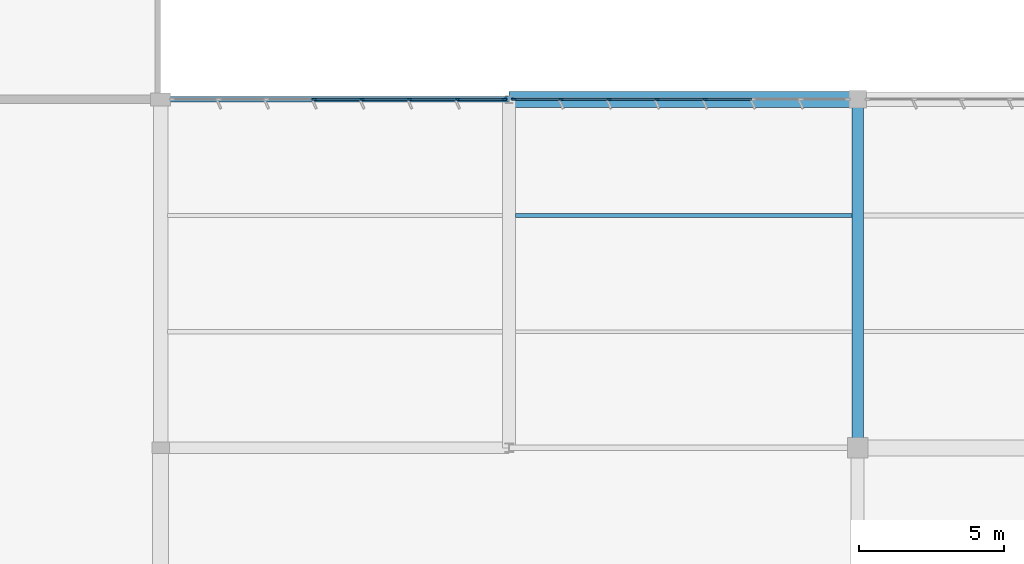
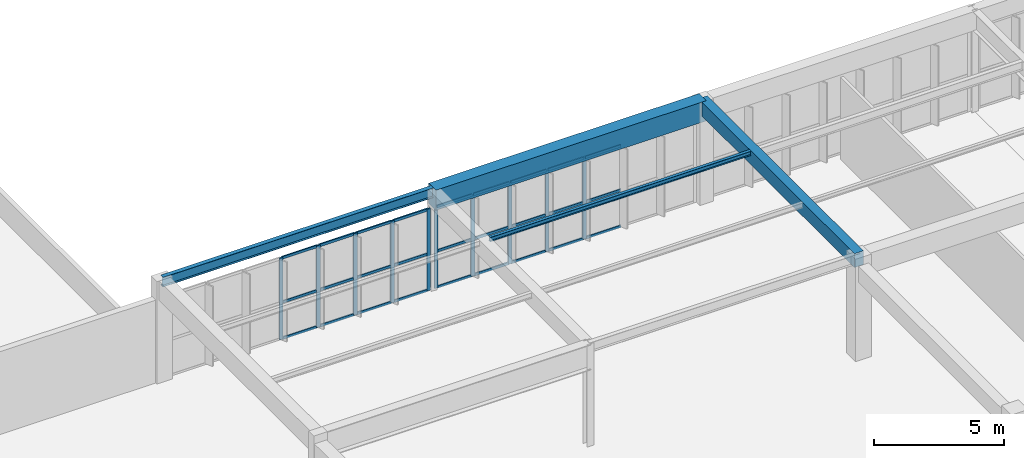
# One storey, part 65 of 186: 37 members, 4 beams, 2 elements without a shape of their own.
"""IFC4 building model written with IfcOpenShell, lengths in metres."""

from ifc_helpers import new_model, si_unit, direction, frame, origin, origin_2d, place, context, subcontext, project, spatial, rectangle, i_section, extrude, material, layer, layer_set, material_profile, profile_set, type_object, element, aggregate, save


model = new_model("IFC4")

# Units and contexts
model_context = context("Model", 3, precision=1e-05, world=origin(), true_north=direction((0.0, 1.0)))
body_context = subcontext(model_context, "Body", "Model", "MODEL_VIEW")
ifc_project = project(units=[si_unit("LENGTHUNIT", "METRE"), si_unit("AREAUNIT", "SQUARE_METRE"), si_unit("VOLUMEUNIT", "CUBIC_METRE"), si_unit("PLANEANGLEUNIT", "RADIAN"), si_unit("MASSUNIT", "GRAM", prefix="KILO")], contexts=[model_context])

# Site, building, storey
site_placement = place(None, origin())
site = spatial("IfcSite", under=ifc_project, at=site_placement, CompositionType="ELEMENT")
building_placement = place(site_placement, origin())
building = spatial("IfcBuilding", under=site, at=building_placement, Name="Tarnwether General Hospital", CompositionType="ELEMENT")
storey_placement = place(building_placement, frame((0.0, 0.0, 9.60009765625)))
storey = spatial("IfcBuildingStorey", under=building, at=storey_placement, Name="L02", CompositionType="ELEMENT", Elevation=9.60009765625)

# Beams
ifc_material_1 = material(Name="Steel Grade 350 (350 MPa)", Category="steel")
ifc_material_profile_1 = material_profile(ifc_material_1, i_section(OverallWidth=0.18994140625, OverallDepth=0.4541015625, WebThickness=0.008544921875, FlangeThickness=0.0126953125, at=origin_2d()), Name="460UB67.1")
ifc_profile_set_1 = profile_set([ifc_material_profile_1], Name="Steel Grade 350 (350 MPa)")
beam_type_1 = type_object("IfcBeamType", Name="BM-G10", PredefinedType="BEAM", material=ifc_profile_set_1)
beam_1_placement = place(storey_placement, frame((60.0, 45.60009765625, 4.572998046875), z_axis=(1.0, 0.0, 0.0), x_axis=(0.0, 1.0, 0.0)))
element("IfcBeam", 1, at=beam_1_placement, inside=storey, type_object=beam_type_1, Name="Primary Girder BMG-L02-6000_4560-7200_4560-1490", PredefinedType="BEAM", context=body_context, shape_type="SweptSolid", body=[
    extrude(i_section(OverallWidth=0.18994140625, OverallDepth=0.4541015625, WebThickness=0.008544921875, FlangeThickness=0.0126953125, at=origin_2d()), origin(), (0.0, 0.0, 1.0), 12.0),
])
ifc_material_2 = material(Name="Concrete 40 MPa", Category="concrete")
ifc_material_profile_2 = material_profile(ifc_material_2, rectangle(XDim=0.550048828125, YDim=0.949951171875, at=origin_2d()), Name="RC-BM-550x950")
ifc_profile_set_2 = profile_set([ifc_material_profile_2], Name="Concrete 40 MPa")
beam_type_2 = type_object("IfcBeamType", Name="BM-G11", PredefinedType="BEAM", material=ifc_profile_set_2)
beam_2_placement = place(storey_placement, frame((72.0, 45.60009765625, 4.324951171875), z_axis=(1.0, 0.0, 0.0), x_axis=(0.0, 1.0, 0.0)))
element("IfcBeam", 2, at=beam_2_placement, inside=storey, type_object=beam_type_2, Name="Primary Girder BMG-L02-7200_4560-8400_4560-1500", PredefinedType="BEAM", context=body_context, shape_type="SweptSolid", body=[
    extrude(rectangle(XDim=0.550048828125, YDim=0.949951171875, at=origin_2d()), origin(), (0.0, 0.0, 1.0), 12.0),
])
ifc_material_3 = material(Name="Concrete 40 MPa", Category="concrete")
ifc_material_profile_3 = material_profile(ifc_material_3, rectangle(XDim=0.39990234375, YDim=0.64990234375, at=origin_2d()), Name="RC-BM-400x650")
ifc_profile_set_3 = profile_set([ifc_material_profile_3], Name="Concrete 40 MPa")
beam_type_3 = type_object("IfcBeamType", Name="BM-G14", PredefinedType="BEAM", material=ifc_profile_set_3)
beam_3_placement = place(storey_placement, frame((84.0, 33.60009765625, 4.474853515625), z_axis=(0.0, 1.0, 0.0), x_axis=(-1.0, 0.0, 0.0)))
element("IfcBeam", 3, at=beam_3_placement, inside=storey, type_object=beam_type_3, Name="Primary Girder BMG-L02-8400_3360-8400_4560-1511", PredefinedType="BEAM", context=body_context, shape_type="SweptSolid", body=[
    extrude(rectangle(XDim=0.39990234375, YDim=0.64990234375, at=origin_2d()), origin(), (0.0, 0.0, 1.0), 12.0),
])
ifc_material_4 = material(Name="Steel Grade 350 (350 MPa)", Category="steel")
ifc_material_profile_4 = material_profile(ifc_material_4, i_section(OverallWidth=0.134033203125, OverallDepth=0.20703125, WebThickness=0.00634765625, FlangeThickness=0.009521484375, at=origin_2d()), Name="200UB29.8")
ifc_profile_set_4 = profile_set([ifc_material_profile_4], Name="Steel Grade 350 (350 MPa)")
beam_type_4 = type_object("IfcBeamType", Name="BM-J12", PredefinedType="JOIST", material=ifc_profile_set_4)
beam_4_placement = place(storey_placement, frame((72.218994140625, 41.60009765625, 4.6962890625), z_axis=(1.0, 0.0, 0.0), x_axis=(0.0, 1.0, 0.0)))
element("IfcBeam", 4, at=beam_4_placement, inside=storey, type_object=beam_type_4, Name="Composite Floor Joist BMG-L02-7222_4160-8381_4160-1683", PredefinedType="JOIST", context=body_context, shape_type="SweptSolid", body=[
    extrude(i_section(OverallWidth=0.134033203125, OverallDepth=0.20703125, WebThickness=0.00634765625, FlangeThickness=0.009521484375, at=origin_2d()), origin(), (0.0, 0.0, 1.0), 11.5869140625),
])

# Curtain wall, members
ifc_material_5 = material(Name="Anodised aluminium", Category="aluminium")
ifc_layer = layer(ifc_material_5, 0.159912109375)
ifc_layer_set = layer_set([ifc_layer], Name="Anodised aluminium")
curtain_wall_type = type_object("IfcCurtainWallType", Name="CW-24", PredefinedType="NOTDEFINED", material=ifc_layer_set)
curtain_wall_1_placement = place(storey_placement, origin())
curtain_wall_1 = element("IfcCurtainWall", 5, at=curtain_wall_1_placement, inside=storey, type_object=curtain_wall_type, Name="Curtain Wall CWG-L02-837_456-0432", PredefinedType="NOTDEFINED")
ifc_material_6 = material(Name="Anodised aluminium", Category="aluminium")
ifc_material_profile_5 = material_profile(ifc_material_6, rectangle(XDim=0.06005859375, YDim=0.159912109375, at=origin_2d()), Name="ALU-MUL-60x160")
ifc_profile_set_5 = profile_set([ifc_material_profile_5], Name="Anodised aluminium")
member_type_1 = type_object("IfcMemberType", Name="CW-ML1", PredefinedType="MULLION", material=ifc_profile_set_5)
member_1_placement = place(storey_placement, frame((78.739501953125, 45.60009765625, 0.0), z_axis=(0.0, 0.0, 1.0), x_axis=(0.0, -1.0, 0.0)))
member_1 = element("IfcMember", 6, at=member_1_placement, type_object=member_type_1, Name="CW-24 mullion 4", PredefinedType="MULLION", context=body_context, shape_type="SweptSolid", body=[
    extrude(rectangle(XDim=0.06005859375, YDim=0.159912109375, at=origin_2d()), origin(), (0.0, 0.0, 1.0), 3.8349609375),
])
member_2_placement = place(storey_placement, frame((77.088623046875, 45.60009765625, 0.0), z_axis=(0.0, 0.0, 1.0), x_axis=(0.0, -1.0, 0.0)))
member_2 = element("IfcMember", 7, at=member_2_placement, type_object=member_type_1, Name="CW-24 mullion 5", PredefinedType="MULLION", context=body_context, shape_type="SweptSolid", body=[
    extrude(rectangle(XDim=0.06005859375, YDim=0.159912109375, at=origin_2d()), origin(), (0.0, 0.0, 1.0), 3.8349609375),
])
member_3_placement = place(storey_placement, frame((75.437744140625, 45.60009765625, 0.0), z_axis=(0.0, 0.0, 1.0), x_axis=(0.0, -1.0, 0.0)))
member_3 = element("IfcMember", 8, at=member_3_placement, type_object=member_type_1, Name="CW-24 mullion 6", PredefinedType="MULLION", context=body_context, shape_type="SweptSolid", body=[
    extrude(rectangle(XDim=0.06005859375, YDim=0.159912109375, at=origin_2d()), origin(), (0.0, 0.0, 1.0), 3.8349609375),
])
member_4_placement = place(storey_placement, frame((73.786865234375, 45.60009765625, 0.0), z_axis=(0.0, 0.0, 1.0), x_axis=(0.0, -1.0, 0.0)))
member_4 = element("IfcMember", 9, at=member_4_placement, type_object=member_type_1, Name="CW-24 mullion 7", PredefinedType="MULLION", context=body_context, shape_type="SweptSolid", body=[
    extrude(rectangle(XDim=0.06005859375, YDim=0.159912109375, at=origin_2d()), origin(), (0.0, 0.0, 1.0), 3.8349609375),
])
member_5_placement = place(storey_placement, frame((72.166015625, 45.60009765625, 0.0), z_axis=(0.0, 0.0, 1.0), x_axis=(0.0, -1.0, 0.0)))
member_5 = element("IfcMember", 10, at=member_5_placement, type_object=member_type_1, Name="CW-24 mullion 8", PredefinedType="MULLION", context=body_context, shape_type="SweptSolid", body=[
    extrude(rectangle(XDim=0.06005859375, YDim=0.159912109375, at=origin_2d()), origin(), (0.0, 0.0, 1.0), 3.8349609375),
])

curtain_wall_2_placement = place(storey_placement, origin())
curtain_wall_2 = element("IfcCurtainWall", 11, at=curtain_wall_2_placement, inside=storey, type_object=curtain_wall_type, Name="Curtain Wall CWG-L02-719_456-0433", PredefinedType="NOTDEFINED")
member_6_placement = place(storey_placement, frame((71.833984375, 45.60009765625, 0.0), z_axis=(0.0, 0.0, 1.0), x_axis=(0.0, -1.0, 0.0)))
member_6 = element("IfcMember", 12, at=member_6_placement, type_object=member_type_1, Name="CW-24 mullion 1", PredefinedType="MULLION", context=body_context, shape_type="SweptSolid", body=[
    extrude(rectangle(XDim=0.06005859375, YDim=0.159912109375, at=origin_2d()), origin(), (0.0, 0.0, 1.0), 3.8349609375),
])
member_7_placement = place(storey_placement, frame((70.22021484375, 45.60009765625, 0.0), z_axis=(0.0, 0.0, 1.0), x_axis=(0.0, -1.0, 0.0)))
member_7 = element("IfcMember", 13, at=member_7_placement, type_object=member_type_1, Name="CW-24 mullion 2", PredefinedType="MULLION", context=body_context, shape_type="SweptSolid", body=[
    extrude(rectangle(XDim=0.06005859375, YDim=0.159912109375, at=origin_2d()), origin(), (0.0, 0.0, 1.0), 3.8349609375),
])
member_8_placement = place(storey_placement, frame((68.57666015625, 45.60009765625, 0.0), z_axis=(0.0, 0.0, 1.0), x_axis=(0.0, -1.0, 0.0)))
member_8 = element("IfcMember", 14, at=member_8_placement, type_object=member_type_1, Name="CW-24 mullion 3", PredefinedType="MULLION", context=body_context, shape_type="SweptSolid", body=[
    extrude(rectangle(XDim=0.06005859375, YDim=0.159912109375, at=origin_2d()), origin(), (0.0, 0.0, 1.0), 3.8349609375),
])
member_9_placement = place(storey_placement, frame((66.932861328125, 45.60009765625, 0.0), z_axis=(0.0, 0.0, 1.0), x_axis=(0.0, -1.0, 0.0)))
member_9 = element("IfcMember", 15, at=member_9_placement, type_object=member_type_1, Name="CW-24 mullion 4", PredefinedType="MULLION", context=body_context, shape_type="SweptSolid", body=[
    extrude(rectangle(XDim=0.06005859375, YDim=0.159912109375, at=origin_2d()), origin(), (0.0, 0.0, 1.0), 3.8349609375),
])
member_10_placement = place(storey_placement, frame((65.2890625, 45.60009765625, 0.0), z_axis=(0.0, 0.0, 1.0), x_axis=(0.0, -1.0, 0.0)))
member_10 = element("IfcMember", 16, at=member_10_placement, type_object=member_type_1, Name="CW-24 mullion 5", PredefinedType="MULLION", context=body_context, shape_type="SweptSolid", body=[
    extrude(rectangle(XDim=0.06005859375, YDim=0.159912109375, at=origin_2d()), origin(), (0.0, 0.0, 1.0), 3.8349609375),
])

# Member
ifc_material_7 = material(Name="Anodised aluminium", Category="aluminium")
ifc_material_profile_6 = material_profile(ifc_material_7, rectangle(XDim=0.06005859375, YDim=0.1201171875, at=origin_2d()), Name="ALU-TRN-60x120")
ifc_profile_set_6 = profile_set([ifc_material_profile_6], Name="Anodised aluminium")
member_type_2 = type_object("IfcMemberType", Name="CW-TR1", PredefinedType="USERDEFINED", material=ifc_profile_set_6)
member_11_placement = place(storey_placement, frame((80.3603515625, 45.60009765625, 0.02978515625), z_axis=(-1.0, 0.0, 0.0), x_axis=(0.0, -1.0, 0.0)))
member_11 = element("IfcMember", 17, at=member_11_placement, type_object=member_type_2, Name="CW-24 transom 3.1", ObjectType="TRANSOM", PredefinedType="USERDEFINED", context=body_context, shape_type="SweptSolid", body=[
    extrude(rectangle(XDim=0.06005859375, YDim=0.1201171875, at=origin_2d()), origin(), (0.0, 0.0, 1.0), 1.5908203125),
])

member_12_placement = place(storey_placement, frame((80.3603515625, 45.60009765625, 1.7255859375), z_axis=(-1.0, 0.0, 0.0), x_axis=(0.0, -1.0, 0.0)))
member_12 = element("IfcMember", 18, at=member_12_placement, type_object=member_type_2, Name="CW-24 transom 3.2", ObjectType="TRANSOM", PredefinedType="USERDEFINED", context=body_context, shape_type="SweptSolid", body=[
    extrude(rectangle(XDim=0.06005859375, YDim=0.1201171875, at=origin_2d()), origin(), (0.0, 0.0, 1.0), 1.5908203125),
])

member_13_placement = place(storey_placement, frame((80.3603515625, 45.60009765625, 3.804931640625), z_axis=(-1.0, 0.0, 0.0), x_axis=(0.0, -1.0, 0.0)))
member_13 = element("IfcMember", 19, at=member_13_placement, type_object=member_type_2, Name="CW-24 transom 3.3", ObjectType="TRANSOM", PredefinedType="USERDEFINED", context=body_context, shape_type="SweptSolid", body=[
    extrude(rectangle(XDim=0.06005859375, YDim=0.1201171875, at=origin_2d()), origin(), (0.0, 0.0, 1.0), 1.5908203125),
])

member_14_placement = place(storey_placement, frame((78.70947265625, 45.60009765625, 0.02978515625), z_axis=(-1.0, 0.0, 0.0), x_axis=(0.0, -1.0, 0.0)))
member_14 = element("IfcMember", 20, at=member_14_placement, type_object=member_type_2, Name="CW-24 transom 4.1", ObjectType="TRANSOM", PredefinedType="USERDEFINED", context=body_context, shape_type="SweptSolid", body=[
    extrude(rectangle(XDim=0.06005859375, YDim=0.1201171875, at=origin_2d()), origin(), (0.0, 0.0, 1.0), 1.5908203125),
])

member_15_placement = place(storey_placement, frame((78.70947265625, 45.60009765625, 1.7255859375), z_axis=(-1.0, 0.0, 0.0), x_axis=(0.0, -1.0, 0.0)))
member_15 = element("IfcMember", 21, at=member_15_placement, type_object=member_type_2, Name="CW-24 transom 4.2", ObjectType="TRANSOM", PredefinedType="USERDEFINED", context=body_context, shape_type="SweptSolid", body=[
    extrude(rectangle(XDim=0.06005859375, YDim=0.1201171875, at=origin_2d()), origin(), (0.0, 0.0, 1.0), 1.5908203125),
])

member_16_placement = place(storey_placement, frame((78.70947265625, 45.60009765625, 3.804931640625), z_axis=(-1.0, 0.0, 0.0), x_axis=(0.0, -1.0, 0.0)))
member_16 = element("IfcMember", 22, at=member_16_placement, type_object=member_type_2, Name="CW-24 transom 4.3", ObjectType="TRANSOM", PredefinedType="USERDEFINED", context=body_context, shape_type="SweptSolid", body=[
    extrude(rectangle(XDim=0.06005859375, YDim=0.1201171875, at=origin_2d()), origin(), (0.0, 0.0, 1.0), 1.5908203125),
])

member_17_placement = place(storey_placement, frame((77.05859375, 45.60009765625, 0.02978515625), z_axis=(-1.0, 0.0, 0.0), x_axis=(0.0, -1.0, 0.0)))
member_17 = element("IfcMember", 23, at=member_17_placement, type_object=member_type_2, Name="CW-24 transom 5.1", ObjectType="TRANSOM", PredefinedType="USERDEFINED", context=body_context, shape_type="SweptSolid", body=[
    extrude(rectangle(XDim=0.06005859375, YDim=0.1201171875, at=origin_2d()), origin(), (0.0, 0.0, 1.0), 1.5908203125),
])

member_18_placement = place(storey_placement, frame((77.05859375, 45.60009765625, 1.7255859375), z_axis=(-1.0, 0.0, 0.0), x_axis=(0.0, -1.0, 0.0)))
member_18 = element("IfcMember", 24, at=member_18_placement, type_object=member_type_2, Name="CW-24 transom 5.2", ObjectType="TRANSOM", PredefinedType="USERDEFINED", context=body_context, shape_type="SweptSolid", body=[
    extrude(rectangle(XDim=0.06005859375, YDim=0.1201171875, at=origin_2d()), origin(), (0.0, 0.0, 1.0), 1.5908203125),
])

member_19_placement = place(storey_placement, frame((77.05859375, 45.60009765625, 3.804931640625), z_axis=(-1.0, 0.0, 0.0), x_axis=(0.0, -1.0, 0.0)))
member_19 = element("IfcMember", 25, at=member_19_placement, type_object=member_type_2, Name="CW-24 transom 5.3", ObjectType="TRANSOM", PredefinedType="USERDEFINED", context=body_context, shape_type="SweptSolid", body=[
    extrude(rectangle(XDim=0.06005859375, YDim=0.1201171875, at=origin_2d()), origin(), (0.0, 0.0, 1.0), 1.5908203125),
])

member_20_placement = place(storey_placement, frame((75.40771484375, 45.60009765625, 0.02978515625), z_axis=(-1.0, 0.0, 0.0), x_axis=(0.0, -1.0, 0.0)))
member_20 = element("IfcMember", 26, at=member_20_placement, type_object=member_type_2, Name="CW-24 transom 6.1", ObjectType="TRANSOM", PredefinedType="USERDEFINED", context=body_context, shape_type="SweptSolid", body=[
    extrude(rectangle(XDim=0.06005859375, YDim=0.1201171875, at=origin_2d()), origin(), (0.0, 0.0, 1.0), 1.5908203125),
])

member_21_placement = place(storey_placement, frame((75.40771484375, 45.60009765625, 1.7255859375), z_axis=(-1.0, 0.0, 0.0), x_axis=(0.0, -1.0, 0.0)))
member_21 = element("IfcMember", 27, at=member_21_placement, type_object=member_type_2, Name="CW-24 transom 6.2", ObjectType="TRANSOM", PredefinedType="USERDEFINED", context=body_context, shape_type="SweptSolid", body=[
    extrude(rectangle(XDim=0.06005859375, YDim=0.1201171875, at=origin_2d()), origin(), (0.0, 0.0, 1.0), 1.5908203125),
])

member_22_placement = place(storey_placement, frame((75.40771484375, 45.60009765625, 3.804931640625), z_axis=(-1.0, 0.0, 0.0), x_axis=(0.0, -1.0, 0.0)))
member_22 = element("IfcMember", 28, at=member_22_placement, type_object=member_type_2, Name="CW-24 transom 6.3", ObjectType="TRANSOM", PredefinedType="USERDEFINED", context=body_context, shape_type="SweptSolid", body=[
    extrude(rectangle(XDim=0.06005859375, YDim=0.1201171875, at=origin_2d()), origin(), (0.0, 0.0, 1.0), 1.5908203125),
])

member_23_placement = place(storey_placement, frame((73.7568359375, 45.60009765625, 0.02978515625), z_axis=(-1.0, 0.0, 0.0), x_axis=(0.0, -1.0, 0.0)))
member_23 = element("IfcMember", 29, at=member_23_placement, type_object=member_type_2, Name="CW-24 transom 7.1", ObjectType="TRANSOM", PredefinedType="USERDEFINED", context=body_context, shape_type="SweptSolid", body=[
    extrude(rectangle(XDim=0.06005859375, YDim=0.1201171875, at=origin_2d()), origin(), (0.0, 0.0, 1.0), 1.560791015625),
])

member_24_placement = place(storey_placement, frame((73.7568359375, 45.60009765625, 1.7255859375), z_axis=(-1.0, 0.0, 0.0), x_axis=(0.0, -1.0, 0.0)))
member_24 = element("IfcMember", 30, at=member_24_placement, type_object=member_type_2, Name="CW-24 transom 7.2", ObjectType="TRANSOM", PredefinedType="USERDEFINED", context=body_context, shape_type="SweptSolid", body=[
    extrude(rectangle(XDim=0.06005859375, YDim=0.1201171875, at=origin_2d()), origin(), (0.0, 0.0, 1.0), 1.560791015625),
])

member_25_placement = place(storey_placement, frame((73.7568359375, 45.60009765625, 3.804931640625), z_axis=(-1.0, 0.0, 0.0), x_axis=(0.0, -1.0, 0.0)))
member_25 = element("IfcMember", 31, at=member_25_placement, type_object=member_type_2, Name="CW-24 transom 7.3", ObjectType="TRANSOM", PredefinedType="USERDEFINED", context=body_context, shape_type="SweptSolid", body=[
    extrude(rectangle(XDim=0.06005859375, YDim=0.1201171875, at=origin_2d()), origin(), (0.0, 0.0, 1.0), 1.560791015625),
])

aggregate(curtain_wall_1, [member_1, member_2, member_3, member_4, member_5, member_11, member_12, member_13, member_14, member_15, member_16, member_17, member_18, member_19, member_20, member_21, member_22, member_23, member_24, member_25])

member_26_placement = place(storey_placement, frame((71.803955078125, 45.60009765625, 0.02978515625), z_axis=(-1.0, 0.0, 0.0), x_axis=(0.0, -1.0, 0.0)))
member_26 = element("IfcMember", 32, at=member_26_placement, type_object=member_type_2, Name="CW-24 transom 1.1", ObjectType="TRANSOM", PredefinedType="USERDEFINED", context=body_context, shape_type="SweptSolid", body=[
    extrude(rectangle(XDim=0.06005859375, YDim=0.1201171875, at=origin_2d()), origin(), (0.0, 0.0, 1.0), 1.5537109375),
])

member_27_placement = place(storey_placement, frame((71.803955078125, 45.60009765625, 1.7255859375), z_axis=(-1.0, 0.0, 0.0), x_axis=(0.0, -1.0, 0.0)))
member_27 = element("IfcMember", 33, at=member_27_placement, type_object=member_type_2, Name="CW-24 transom 1.2", ObjectType="TRANSOM", PredefinedType="USERDEFINED", context=body_context, shape_type="SweptSolid", body=[
    extrude(rectangle(XDim=0.06005859375, YDim=0.1201171875, at=origin_2d()), origin(), (0.0, 0.0, 1.0), 1.5537109375),
])

member_28_placement = place(storey_placement, frame((71.803955078125, 45.60009765625, 3.804931640625), z_axis=(-1.0, 0.0, 0.0), x_axis=(0.0, -1.0, 0.0)))
member_28 = element("IfcMember", 34, at=member_28_placement, type_object=member_type_2, Name="CW-24 transom 1.3", ObjectType="TRANSOM", PredefinedType="USERDEFINED", context=body_context, shape_type="SweptSolid", body=[
    extrude(rectangle(XDim=0.06005859375, YDim=0.1201171875, at=origin_2d()), origin(), (0.0, 0.0, 1.0), 1.5537109375),
])

member_29_placement = place(storey_placement, frame((70.190185546875, 45.60009765625, 0.02978515625), z_axis=(-1.0, 0.0, 0.0), x_axis=(0.0, -1.0, 0.0)))
member_29 = element("IfcMember", 35, at=member_29_placement, type_object=member_type_2, Name="CW-24 transom 2.1", ObjectType="TRANSOM", PredefinedType="USERDEFINED", context=body_context, shape_type="SweptSolid", body=[
    extrude(rectangle(XDim=0.06005859375, YDim=0.1201171875, at=origin_2d()), origin(), (0.0, 0.0, 1.0), 1.58349609375),
])

member_30_placement = place(storey_placement, frame((70.190185546875, 45.60009765625, 1.7255859375), z_axis=(-1.0, 0.0, 0.0), x_axis=(0.0, -1.0, 0.0)))
member_30 = element("IfcMember", 36, at=member_30_placement, type_object=member_type_2, Name="CW-24 transom 2.2", ObjectType="TRANSOM", PredefinedType="USERDEFINED", context=body_context, shape_type="SweptSolid", body=[
    extrude(rectangle(XDim=0.06005859375, YDim=0.1201171875, at=origin_2d()), origin(), (0.0, 0.0, 1.0), 1.58349609375),
])

member_31_placement = place(storey_placement, frame((70.190185546875, 45.60009765625, 3.804931640625), z_axis=(-1.0, 0.0, 0.0), x_axis=(0.0, -1.0, 0.0)))
member_31 = element("IfcMember", 37, at=member_31_placement, type_object=member_type_2, Name="CW-24 transom 2.3", ObjectType="TRANSOM", PredefinedType="USERDEFINED", context=body_context, shape_type="SweptSolid", body=[
    extrude(rectangle(XDim=0.06005859375, YDim=0.1201171875, at=origin_2d()), origin(), (0.0, 0.0, 1.0), 1.58349609375),
])

member_32_placement = place(storey_placement, frame((68.546630859375, 45.60009765625, 0.02978515625), z_axis=(-1.0, 0.0, 0.0), x_axis=(0.0, -1.0, 0.0)))
member_32 = element("IfcMember", 38, at=member_32_placement, type_object=member_type_2, Name="CW-24 transom 3.1", ObjectType="TRANSOM", PredefinedType="USERDEFINED", context=body_context, shape_type="SweptSolid", body=[
    extrude(rectangle(XDim=0.06005859375, YDim=0.1201171875, at=origin_2d()), origin(), (0.0, 0.0, 1.0), 1.583740234375),
])

member_33_placement = place(storey_placement, frame((68.546630859375, 45.60009765625, 1.7255859375), z_axis=(-1.0, 0.0, 0.0), x_axis=(0.0, -1.0, 0.0)))
member_33 = element("IfcMember", 39, at=member_33_placement, type_object=member_type_2, Name="CW-24 transom 3.2", ObjectType="TRANSOM", PredefinedType="USERDEFINED", context=body_context, shape_type="SweptSolid", body=[
    extrude(rectangle(XDim=0.06005859375, YDim=0.1201171875, at=origin_2d()), origin(), (0.0, 0.0, 1.0), 1.583740234375),
])

member_34_placement = place(storey_placement, frame((68.546630859375, 45.60009765625, 3.804931640625), z_axis=(-1.0, 0.0, 0.0), x_axis=(0.0, -1.0, 0.0)))
member_34 = element("IfcMember", 40, at=member_34_placement, type_object=member_type_2, Name="CW-24 transom 3.3", ObjectType="TRANSOM", PredefinedType="USERDEFINED", context=body_context, shape_type="SweptSolid", body=[
    extrude(rectangle(XDim=0.06005859375, YDim=0.1201171875, at=origin_2d()), origin(), (0.0, 0.0, 1.0), 1.583740234375),
])

member_35_placement = place(storey_placement, frame((66.90283203125, 45.60009765625, 0.02978515625), z_axis=(-1.0, 0.0, 0.0), x_axis=(0.0, -1.0, 0.0)))
member_35 = element("IfcMember", 41, at=member_35_placement, type_object=member_type_2, Name="CW-24 transom 4.1", ObjectType="TRANSOM", PredefinedType="USERDEFINED", context=body_context, shape_type="SweptSolid", body=[
    extrude(rectangle(XDim=0.06005859375, YDim=0.1201171875, at=origin_2d()), origin(), (0.0, 0.0, 1.0), 1.583740234375),
])

member_36_placement = place(storey_placement, frame((66.90283203125, 45.60009765625, 1.7255859375), z_axis=(-1.0, 0.0, 0.0), x_axis=(0.0, -1.0, 0.0)))
member_36 = element("IfcMember", 42, at=member_36_placement, type_object=member_type_2, Name="CW-24 transom 4.2", ObjectType="TRANSOM", PredefinedType="USERDEFINED", context=body_context, shape_type="SweptSolid", body=[
    extrude(rectangle(XDim=0.06005859375, YDim=0.1201171875, at=origin_2d()), origin(), (0.0, 0.0, 1.0), 1.583740234375),
])

member_37_placement = place(storey_placement, frame((66.90283203125, 45.60009765625, 3.804931640625), z_axis=(-1.0, 0.0, 0.0), x_axis=(0.0, -1.0, 0.0)))
member_37 = element("IfcMember", 43, at=member_37_placement, type_object=member_type_2, Name="CW-24 transom 4.3", ObjectType="TRANSOM", PredefinedType="USERDEFINED", context=body_context, shape_type="SweptSolid", body=[
    extrude(rectangle(XDim=0.06005859375, YDim=0.1201171875, at=origin_2d()), origin(), (0.0, 0.0, 1.0), 1.583740234375),
])

aggregate(curtain_wall_2, [member_6, member_7, member_8, member_9, member_10, member_26, member_27, member_28, member_29, member_30, member_31, member_32, member_33, member_34, member_35, member_36, member_37])

save(model, "model.ifc")
